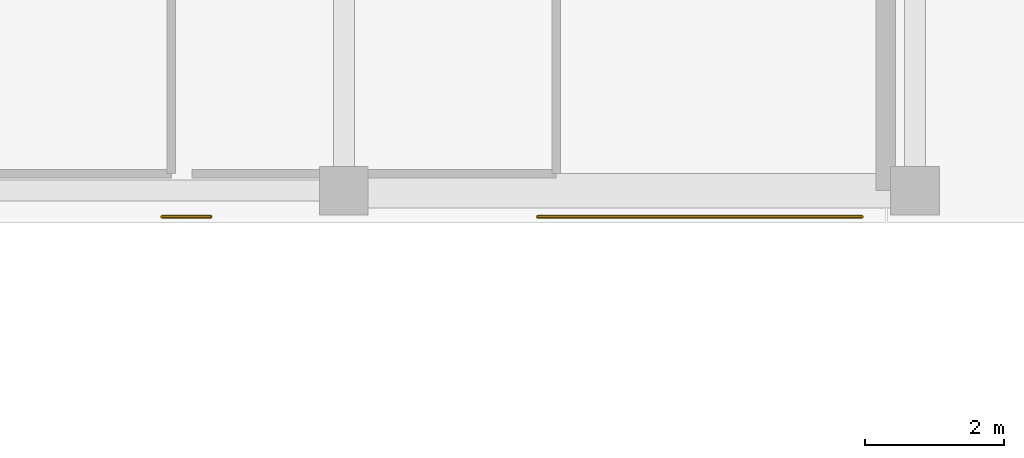
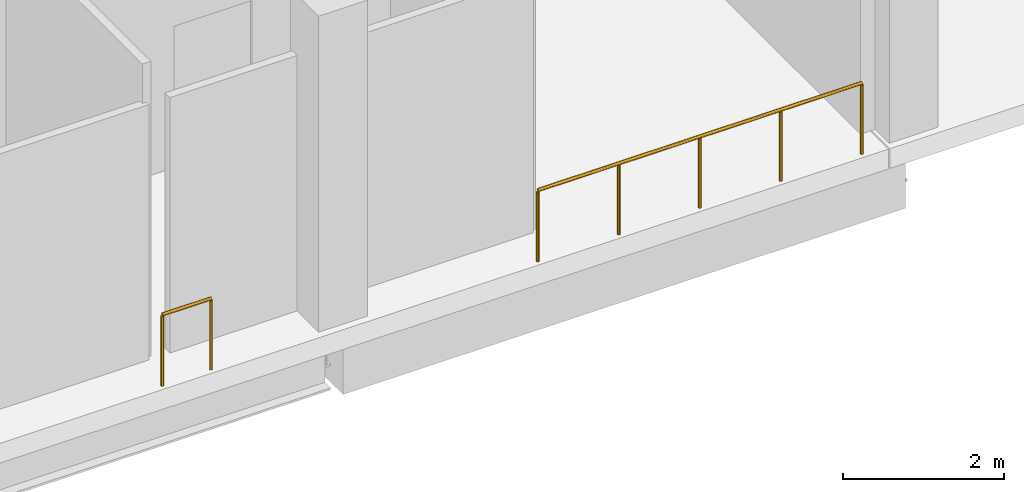
# One storey, part 136 of 142: 2 railings.
"""IFC4 building model written with IfcOpenShell, lengths in metres."""

from ifc_helpers import new_model, si_unit, direction, frame, origin, origin_2d, place, context, subcontext, project, spatial, circle, extrude, material, type_object, element, save


model = new_model("IFC4")

# Units and contexts
model_context = context("Model", 3, precision=1e-05, world=origin(), true_north=direction((0.0, 1.0)))
body_context = subcontext(model_context, "Body", "Model", "MODEL_VIEW")
ifc_project = project(units=[si_unit("LENGTHUNIT", "METRE"), si_unit("AREAUNIT", "SQUARE_METRE"), si_unit("VOLUMEUNIT", "CUBIC_METRE"), si_unit("PLANEANGLEUNIT", "RADIAN"), si_unit("MASSUNIT", "GRAM", prefix="KILO")], contexts=[model_context])

# Site, building, storey
site_placement = place(None, origin())
site = spatial("IfcSite", under=ifc_project, at=site_placement, CompositionType="ELEMENT")
building_placement = place(site_placement, origin())
building = spatial("IfcBuilding", under=site, at=building_placement, Name="Koshinbarg Plaza Stadium", CompositionType="ELEMENT")
storey_placement = place(building_placement, frame((0.0, 0.0, 10.199951171875)))
storey = spatial("IfcBuildingStorey", under=building, at=storey_placement, Name="L02", CompositionType="ELEMENT", Elevation=10.199951171875)

# Railings
ifc_material = material(Name="Toughened laminated glass and stainless steel sightline balustrade", Category="steel")
railing_type = type_object("IfcRailingType", Name="RL-BOWL-1100", PredefinedType="BALUSTRADE", material=ifc_material)
railing_1_placement = place(storey_placement, frame((235.0400390625, 127.125, 0.0)))
element("IfcRailing", 1, at=railing_1_placement, inside=storey, type_object=railing_type, Name="L02 deck edge safety balustrade 0176", PredefinedType="BALUSTRADE", context=body_context, shape_type="SweptSolid", body=[
    extrude(circle(Radius=0.02392578125, at=origin_2d()), frame((0.0, 0.0, 1.076171875), z_axis=(-1.0, 0.0, 0.0), x_axis=(0.0, -1.0, 0.0)), (0.0, 0.0, 1.0), 4.655517578125),
    extrude(circle(Radius=0.02099609375, at=origin_2d()), origin(), (0.0, 0.0, 1.0), 1.052001953125),
    extrude(circle(Radius=0.02099609375, at=origin_2d()), frame((-1.163818359375, 0.0, 0.0)), (0.0, 0.0, 1.0), 1.052001953125),
    extrude(circle(Radius=0.02099609375, at=origin_2d()), frame((-2.32763671875, 0.0, 0.0)), (0.0, 0.0, 1.0), 1.052001953125),
    extrude(circle(Radius=0.02099609375, at=origin_2d()), frame((-3.49169921875, 0.0, 0.0)), (0.0, 0.0, 1.0), 1.052001953125),
    extrude(circle(Radius=0.02099609375, at=origin_2d()), frame((-4.655517578125, 0.0, 0.0)), (0.0, 0.0, 1.0), 1.052001953125),
])
railing_2_placement = place(storey_placement, frame((225.689208984375, 127.125, 0.0)))
element("IfcRailing", 2, at=railing_2_placement, inside=storey, type_object=railing_type, Name="L02 deck edge safety balustrade 0177", PredefinedType="BALUSTRADE", context=body_context, shape_type="SweptSolid", body=[
    extrude(circle(Radius=0.02392578125, at=origin_2d()), frame((0.0, 0.0, 1.076171875), z_axis=(-1.0, 0.0, 0.0), x_axis=(0.0, -1.0, 0.0)), (0.0, 0.0, 1.0), 0.69970703125),
    extrude(circle(Radius=0.02099609375, at=origin_2d()), origin(), (0.0, 0.0, 1.0), 1.052001953125),
    extrude(circle(Radius=0.02099609375, at=origin_2d()), frame((-0.69970703125, 0.0, 0.0)), (0.0, 0.0, 1.0), 1.052001953125),
])

save(model, "model.ifc")
